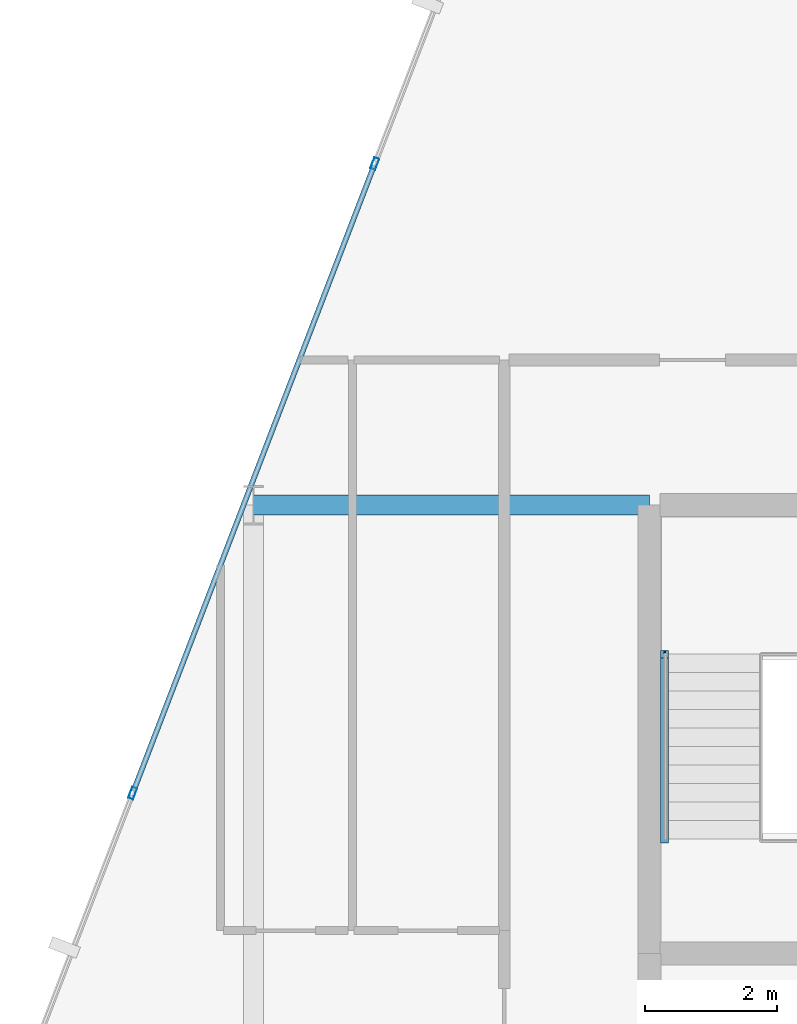
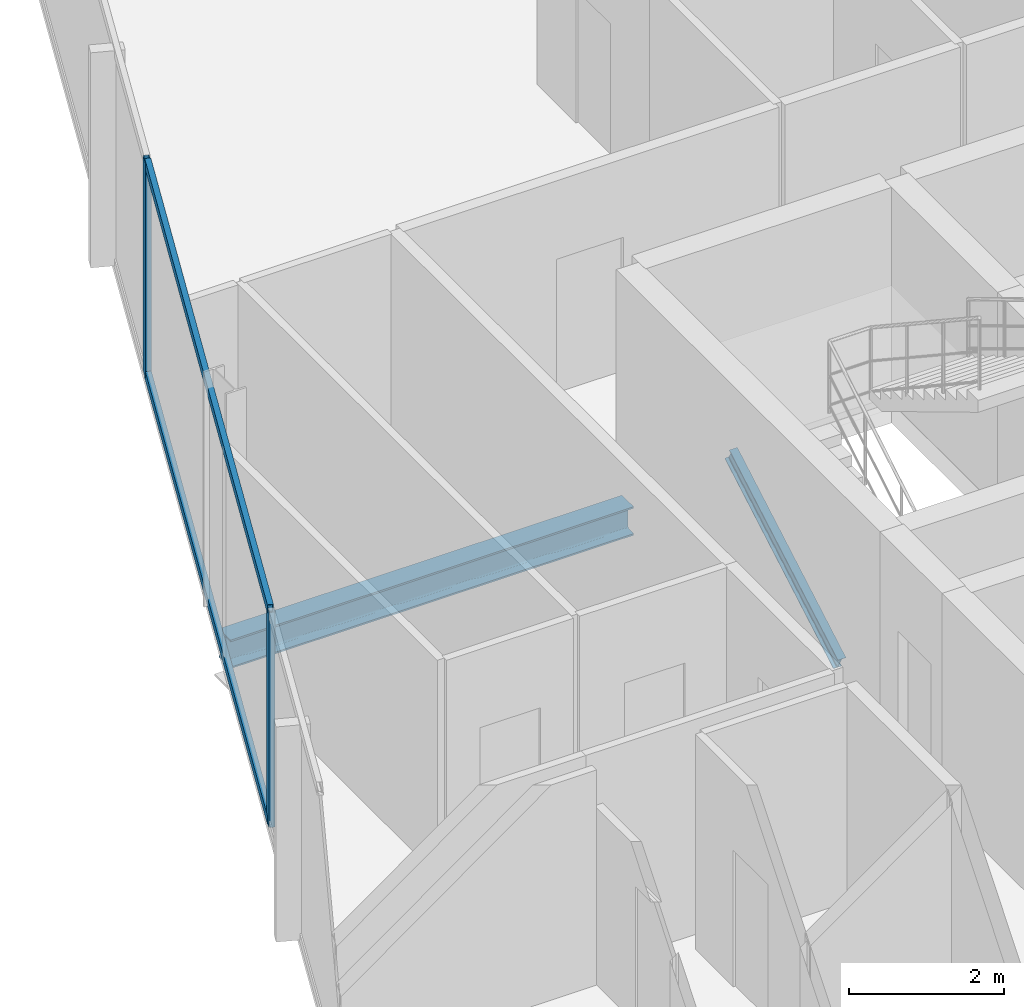
# One storey, part 14 of 29: 5 members, 1 beam, 1 element without a shape of its own.
"""IFC4 building model written with IfcOpenShell, lengths in metres."""

from ifc_helpers import new_model, si_unit, direction, frame, origin, origin_2d, place, context, subcontext, project, spatial, hollow_rectangle, i_section, extrude, material, layer, layer_set, material_profile, profile_set, type_object, element, aggregate, save


model = new_model("IFC4")

# Units and contexts
model_context = context("Model", 3, precision=1e-05, world=origin(), true_north=direction((0.0, 1.0)))
body_context = subcontext(model_context, "Body", "Model", "MODEL_VIEW")
ifc_project = project(units=[si_unit("LENGTHUNIT", "METRE"), si_unit("AREAUNIT", "SQUARE_METRE"), si_unit("VOLUMEUNIT", "CUBIC_METRE"), si_unit("PLANEANGLEUNIT", "RADIAN"), si_unit("MASSUNIT", "GRAM", prefix="KILO")], contexts=[model_context])

# Site, building, storey
site_placement = place(None, origin())
site = spatial("IfcSite", under=ifc_project, at=site_placement, CompositionType="ELEMENT")
building_placement = place(site_placement, origin())
building = spatial("IfcBuilding", under=site, at=building_placement, Name="Keshet Zoharim Tower", CompositionType="ELEMENT")
storey_placement = place(building_placement, frame((0.0, 0.0, 94.60009765625)))
storey = spatial("IfcBuildingStorey", under=building, at=storey_placement, Name="L22", CompositionType="ELEMENT", Elevation=94.60009765625)

# Beam
ifc_material_1 = material(Name="Steel S355", Category="steel")
ifc_material_profile_1 = material_profile(ifc_material_1, i_section(OverallWidth=0.300048828125, OverallDepth=0.449951171875, WebThickness=0.013916015625, FlangeThickness=0.02587890625, FilletRadius=0.027099609375, at=origin_2d()), Name="HEB450")
ifc_profile_set_1 = profile_set([ifc_material_profile_1], Name="Steel S355")
beam_type = type_object("IfcBeamType", Name="BM-WEB-HB450", PredefinedType="BEAM", material=ifc_profile_set_1)
beam_placement = place(storey_placement, frame((9.0, 37.89990234375, -0.5400390625), z_axis=(1.0, 0.0, 0.0), x_axis=(0.0, 1.0, 0.0)))
element("IfcBeam", 1, at=beam_placement, inside=storey, type_object=beam_type, Name="L22 Primary Girder X-018", PredefinedType="BEAM", context=body_context, shape_type="SweptSolid", body=[
    extrude(i_section(OverallWidth=0.300048828125, OverallDepth=0.449951171875, WebThickness=0.013916015625, FlangeThickness=0.02587890625, FilletRadius=0.027099609375, at=origin_2d()), origin(), (0.0, 0.0, 1.0), 6.0),
])

# Curtain wall, members
ifc_material_2 = material(Name="Aluminium 6063-T6", Category="aluminium")
ifc_layer = layer(ifc_material_2, 0.159912109375)
ifc_layer_set = layer_set([ifc_layer], Name="Aluminium 6063-T6")
curtain_wall_type = type_object("IfcCurtainWallType", Name="CW-SYS-03", PredefinedType="NOTDEFINED", material=ifc_layer_set)
curtain_wall_placement = place(storey_placement, origin())
curtain_wall = element("IfcCurtainWall", 2, at=curtain_wall_placement, inside=storey, type_object=curtain_wall_type, Name="L22 Unitised Curtain Wall 10", PredefinedType="NOTDEFINED")
ifc_material_profile_2 = material_profile(ifc_material_2, hollow_rectangle(XDim=0.080078125, YDim=0.179931640625, WallThickness=0.00439453125, at=origin_2d()), Name="MUL-80x180")
ifc_profile_set_2 = profile_set([ifc_material_profile_2], Name="Aluminium 6063-T6")
member_type_1 = type_object("IfcMemberType", Name="CWM-M18", PredefinedType="MULLION", material=ifc_profile_set_2)
member_1_placement = place(storey_placement, frame((7.1669921875, 33.53466796875, 0.0), z_axis=(0.0, 0.0, 1.0), x_axis=(-0.933341404361, 0.358990003907, 0.0)))
member_1 = element("IfcMember", 3, at=member_1_placement, type_object=member_type_1, Name="CW-03 mullion 2", PredefinedType="MULLION", context=body_context, shape_type="SweptSolid", body=[
    extrude(hollow_rectangle(XDim=0.080078125, YDim=0.179931640625, WallThickness=0.00439453125, at=origin_2d()), origin(), (0.0, 0.0, 1.0), 3.385009765625),
])
member_2_placement = place(storey_placement, frame((10.8369140625, 43.076416015625, 0.0), z_axis=(0.0, 0.0, 1.0), x_axis=(-0.933341404361, 0.358990003907, 0.0)))
member_2 = element("IfcMember", 4, at=member_2_placement, type_object=member_type_1, Name="CW-03 mullion 3", PredefinedType="MULLION", context=body_context, shape_type="SweptSolid", body=[
    extrude(hollow_rectangle(XDim=0.080078125, YDim=0.179931640625, WallThickness=0.00439453125, at=origin_2d()), origin(), (0.0, 0.0, 1.0), 3.385009765625),
])
ifc_material_profile_3 = material_profile(ifc_material_2, hollow_rectangle(XDim=0.080078125, YDim=0.139892578125, WallThickness=0.00390625, at=origin_2d()), Name="TRN-80x140")
ifc_profile_set_3 = profile_set([ifc_material_profile_3], Name="Aluminium 6063-T6")
member_type_2 = type_object("IfcMemberType", Name="CWT-T14", PredefinedType="USERDEFINED", material=ifc_profile_set_3)
member_3_placement = place(storey_placement, frame((7.179443359375, 33.5673828125, 0.034912109375), z_axis=(0.359003248899, 0.933336309848, 0.0), x_axis=(-0.933336309848, 0.359003248899, 0.0)))
member_3 = element("IfcMember", 5, at=member_3_placement, type_object=member_type_2, Name="CW-03 transom 2.1", ObjectType="TRANSOM", PredefinedType="USERDEFINED", context=body_context, shape_type="SweptSolid", body=[
    extrude(hollow_rectangle(XDim=0.080078125, YDim=0.139892578125, WallThickness=0.00390625, at=origin_2d()), origin(), (0.0, 0.0, 1.0), 10.153076171875),
])
member_4_placement = place(storey_placement, frame((7.179443359375, 33.5673828125, 3.349853515625), z_axis=(0.359003248899, 0.933336309848, 0.0), x_axis=(-0.933336309848, 0.359003248899, 0.0)))
member_4 = element("IfcMember", 6, at=member_4_placement, type_object=member_type_2, Name="CW-03 transom 2.2", ObjectType="TRANSOM", PredefinedType="USERDEFINED", context=body_context, shape_type="SweptSolid", body=[
    extrude(hollow_rectangle(XDim=0.080078125, YDim=0.139892578125, WallThickness=0.00390625, at=origin_2d()), origin(), (0.0, 0.0, 1.0), 10.153076171875),
])
aggregate(curtain_wall, [member_1, member_2, member_3, member_4])

# Member
ifc_material_profile_4 = material_profile(ifc_material_1, i_section(OverallWidth=0.1201171875, OverallDepth=0.239990234375, WebThickness=0.006103515625, FlangeThickness=0.009765625, FilletRadius=0.014892578125, at=origin_2d()), Name="IPE240")
ifc_profile_set_4 = profile_set([ifc_material_profile_4], Name="Steel S355")
member_type_3 = type_object("IfcMemberType", Name="MB-STRG-IP240", PredefinedType="STRINGER", material=ifc_profile_set_4)
member_5_placement = place(storey_placement, frame((15.22998046875, 32.840087890625, 0.119873046875), z_axis=(0.0, 0.866876903101, 0.498522251129), x_axis=(-1.0, 0.0, 0.0)))
element("IfcMember", 7, at=member_5_placement, inside=storey, type_object=member_type_3, Name="L22 ST-02 Flight Steel Stringer", PredefinedType="STRINGER", context=body_context, shape_type="SweptSolid", body=[
    extrude(i_section(OverallWidth=0.1201171875, OverallDepth=0.239990234375, WebThickness=0.006103515625, FlangeThickness=0.009765625, FilletRadius=0.014892578125, at=origin_2d()), origin(), (0.0, 0.0, 1.0), 3.229736328125),
])

save(model, "model.ifc")
